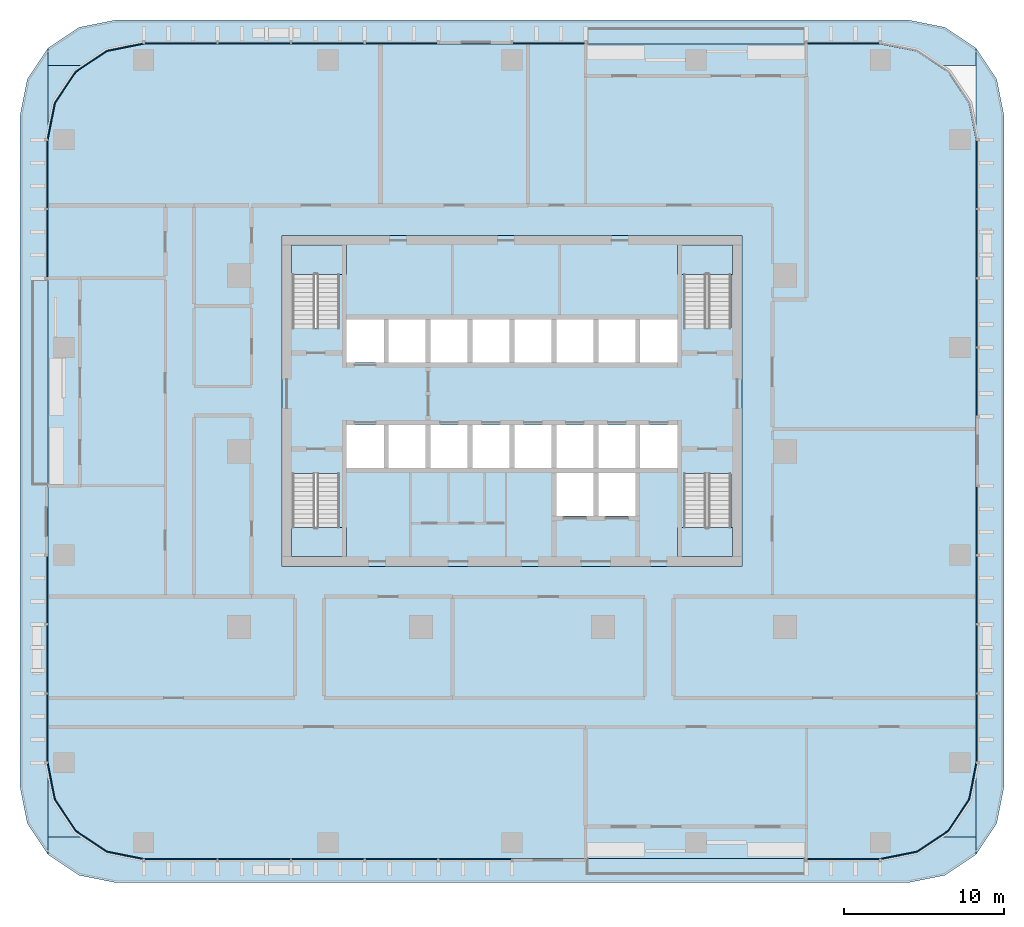
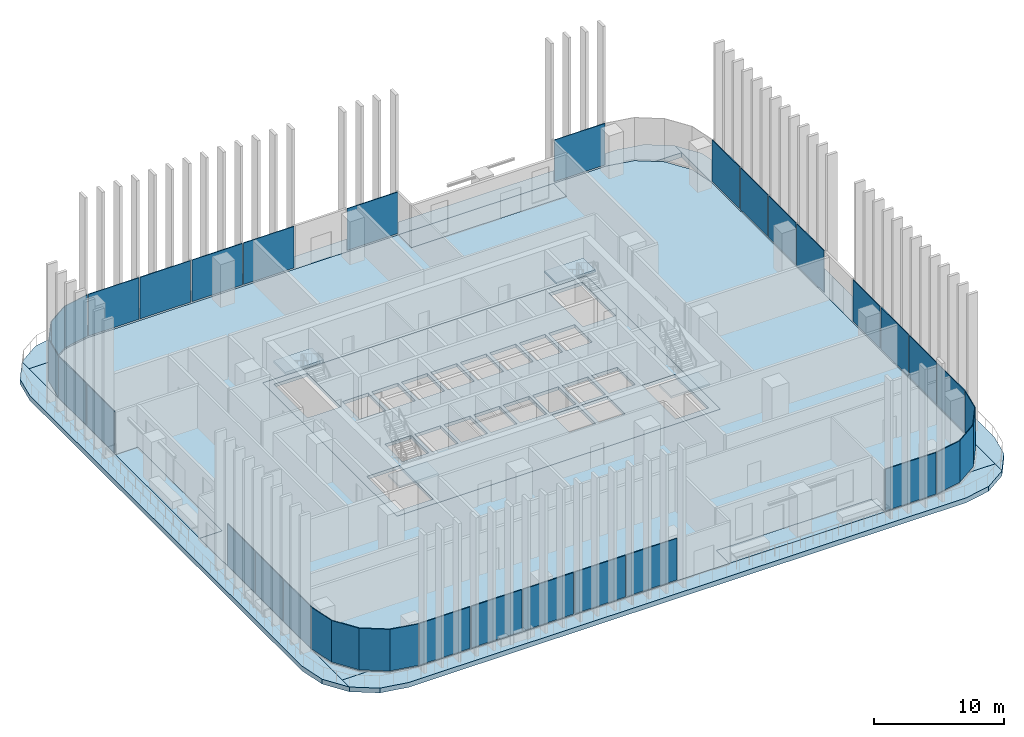
# One storey, part 6 of 18: 28 plates, 16 slabs, 16 elements without a shape of their own.
"""IFC4 building model written with IfcOpenShell, lengths in metres."""

from ifc_helpers import new_model, si_unit, direction, frame, origin, origin_2d, place, context, subcontext, project, spatial, polyline, rectangle, outline, extrude, material, layer, layer_set, type_object, element, aggregate, save


model = new_model("IFC4")

# Units and contexts
model_context = context("Model", 3, precision=1e-05, world=origin(), true_north=direction((0.0, 1.0)))
body_context = subcontext(model_context, "Body", "Model", "MODEL_VIEW")
ifc_project = project(units=[si_unit("LENGTHUNIT", "METRE"), si_unit("AREAUNIT", "SQUARE_METRE"), si_unit("VOLUMEUNIT", "CUBIC_METRE"), si_unit("PLANEANGLEUNIT", "RADIAN"), si_unit("MASSUNIT", "GRAM", prefix="KILO")], contexts=[model_context])

# Site, building, storey
site_placement = place(None, origin())
site = spatial("IfcSite", under=ifc_project, at=site_placement, CompositionType="ELEMENT")
building_placement = place(site_placement, origin())
building = spatial("IfcBuilding", under=site, at=building_placement, Name="Mopane Tessera Tower", CompositionType="ELEMENT")
storey_placement = place(building_placement, frame((0.0, 0.0, 94.60009765625)))
storey = spatial("IfcBuildingStorey", under=building, at=storey_placement, Name="L18", CompositionType="ELEMENT", Elevation=94.60009765625)

# Slab
ifc_material_1 = material(Name="Concrete C40/50", Category="concrete")
ifc_layer_1 = layer(ifc_material_1, 0.300048828125)
ifc_layer_set_1 = layer_set([ifc_layer_1], Name="Concrete C40/50")
slab_type_1 = type_object("IfcSlabType", Name="Core floor slab 300 mm", PredefinedType="FLOOR", material=ifc_layer_set_1)
slab_1_placement = place(storey_placement, frame((0.0, 0.0, -0.300048828125)))
element("IfcSlab", 1, at=slab_1_placement, inside=storey, type_object=slab_type_1, Name="L18 core floor slab", PredefinedType="FLOOR", context=body_context, shape_type="SweptSolid", body=[
    extrude(outline(polyline([(-14.39990234375, -7.199951171875), (14.39990234375, -7.199951171875), (14.39990234375, 13.5), (-14.39990234375, 13.5), (-14.39990234375, -7.199951171875)]), holes=[polyline([(-10.35009765625, -1.050048828125), (-8.02490234375, -1.050048828125), (-8.02490234375, 1.64990234375), (-10.35009765625, 1.64990234375), (-10.35009765625, -1.050048828125)]), polyline([(-7.72509765625, -1.050048828125), (-5.39990234375, -1.050048828125), (-5.39990234375, 1.64990234375), (-7.72509765625, 1.64990234375), (-7.72509765625, -1.050048828125)]), polyline([(-5.10009765625, -1.050048828125), (-2.77490234375, -1.050048828125), (-2.77490234375, 1.64990234375), (-5.10009765625, 1.64990234375), (-5.10009765625, -1.050048828125)]), polyline([(-2.47509765625, -1.050048828125), (-0.14990234375, -1.050048828125), (-0.14990234375, 1.64990234375), (-2.47509765625, 1.64990234375), (-2.47509765625, -1.050048828125)]), polyline([(0.14990234375, -1.050048828125), (2.47509765625, -1.050048828125), (2.47509765625, 1.64990234375), (0.14990234375, 1.64990234375), (0.14990234375, -1.050048828125)]), polyline([(2.77490234375, -1.050048828125), (5.10009765625, -1.050048828125), (5.10009765625, 1.64990234375), (2.77490234375, 1.64990234375), (2.77490234375, -1.050048828125)]), polyline([(5.39990234375, -1.050048828125), (7.72509765625, -1.050048828125), (7.72509765625, 1.64990234375), (5.39990234375, 1.64990234375), (5.39990234375, -1.050048828125)]), polyline([(8.02490234375, -1.050048828125), (10.35009765625, -1.050048828125), (10.35009765625, 1.64990234375), (8.02490234375, 1.64990234375), (8.02490234375, -1.050048828125)]), polyline([(-10.35009765625, 5.550048828125), (-8.02490234375, 5.550048828125), (-8.02490234375, 8.25), (-10.35009765625, 8.25), (-10.35009765625, 5.550048828125)]), polyline([(-7.72509765625, 5.550048828125), (-5.39990234375, 5.550048828125), (-5.39990234375, 8.25), (-7.72509765625, 8.25), (-7.72509765625, 5.550048828125)]), polyline([(-5.10009765625, 5.550048828125), (-2.77490234375, 5.550048828125), (-2.77490234375, 8.25), (-5.10009765625, 8.25), (-5.10009765625, 5.550048828125)]), polyline([(-2.47509765625, 5.550048828125), (-0.14990234375, 5.550048828125), (-0.14990234375, 8.25), (-2.47509765625, 8.25), (-2.47509765625, 5.550048828125)]), polyline([(0.14990234375, 5.550048828125), (2.47509765625, 5.550048828125), (2.47509765625, 8.25), (0.14990234375, 8.25), (0.14990234375, 5.550048828125)]), polyline([(2.77490234375, 5.550048828125), (5.10009765625, 5.550048828125), (5.10009765625, 8.25), (2.77490234375, 8.25), (2.77490234375, 5.550048828125)]), polyline([(5.39990234375, 5.550048828125), (7.72509765625, 5.550048828125), (7.72509765625, 8.25), (5.39990234375, 8.25), (5.39990234375, 5.550048828125)]), polyline([(8.02490234375, 5.550048828125), (10.35009765625, 5.550048828125), (10.35009765625, 8.25), (8.02490234375, 8.25), (8.02490234375, 5.550048828125)]), polyline([(2.77490234375, -4.050048828125), (5.10009765625, -4.050048828125), (5.10009765625, -1.35009765625), (2.77490234375, -1.35009765625), (2.77490234375, -4.050048828125)]), polyline([(5.39990234375, -4.050048828125), (7.72509765625, -4.050048828125), (7.72509765625, -1.35009765625), (5.39990234375, -1.35009765625), (5.39990234375, -4.050048828125)]), polyline([(-13.75, -1.405029296875), (-13.75, -6.60009765625), (-10.800048828125, -6.60009765625), (-10.800048828125, -1.405029296875), (-13.75, -1.405029296875)]), polyline([(-10.800048828125, 7.705078125), (-10.800048828125, 12.89990234375), (-13.75, 12.89990234375), (-13.75, 7.705078125), (-10.800048828125, 7.705078125)]), polyline([(10.75, -1.405029296875), (10.75, -6.60009765625), (13.699951171875, -6.60009765625), (13.699951171875, -1.405029296875), (10.75, -1.405029296875)]), polyline([(13.699951171875, 7.705078125), (13.699951171875, 12.89990234375), (10.75, 12.89990234375), (10.75, 7.705078125), (13.699951171875, 7.705078125)])]), origin(), (0.0, 0.0, 1.0), 0.300048828125),
])

# Stair, slab
ifc_material_2 = material(Name="Concrete C50/60", Category="concrete")
stair_type = type_object("IfcStairType", Name="Escape stair 1400 mm, riser 173 mm", PredefinedType="HALF_TURN_STAIR", material=ifc_material_2)
stair_1_placement = place(storey_placement, origin())
stair_1 = element("IfcStair", 2, at=stair_1_placement, inside=storey, type_object=stair_type, Name="L18 Escape stair south-west", PredefinedType="HALF_TURN_STAIR")
ifc_material_3 = material(Name="Concrete C50/60", Category="concrete")
ifc_layer_2 = layer(ifc_material_3, 0.199951171875)
ifc_layer_set_2 = layer_set([ifc_layer_2], Name="Concrete C50/60")
slab_type_2 = type_object("IfcSlabType", Name="Escape stair landing 200 mm", PredefinedType="LANDING", material=ifc_layer_set_2)
slab_2_placement = place(storey_placement, frame((0.0, 0.0, 2.0498046875)))
slab_2 = element("IfcSlab", 3, at=slab_2_placement, type_object=slab_type_2, Name="ST1 landing 1", PredefinedType="LANDING", context=body_context, shape_type="SweptSolid", body=[
    extrude(outline(polyline([(-13.800048828125, -4.760009765625), (-13.800048828125, -6.60009765625), (-10.35009765625, -6.60009765625), (-10.35009765625, -4.760009765625), (-13.800048828125, -4.760009765625)])), origin(), (0.0, 0.0, 1.0), 0.2001953125),
])
aggregate(stair_1, [slab_2])

stair_2_placement = place(storey_placement, origin())
stair_2 = element("IfcStair", 4, at=stair_2_placement, inside=storey, type_object=stair_type, Name="L18 Escape stair north-west", PredefinedType="HALF_TURN_STAIR")
slab_3_placement = place(storey_placement, frame((0.0, 0.0, 2.0498046875)))
slab_3 = element("IfcSlab", 5, at=slab_3_placement, type_object=slab_type_2, Name="ST2 landing 1", PredefinedType="LANDING", context=body_context, shape_type="SweptSolid", body=[
    extrude(outline(polyline([(-10.35009765625, 11.06005859375), (-10.35009765625, 12.89990234375), (-13.800048828125, 12.89990234375), (-13.800048828125, 11.06005859375), (-10.35009765625, 11.06005859375)])), origin(), (0.0, 0.0, 1.0), 0.2001953125),
])
aggregate(stair_2, [slab_3])

stair_3_placement = place(storey_placement, origin())
stair_3 = element("IfcStair", 6, at=stair_3_placement, inside=storey, type_object=stair_type, Name="L18 Escape stair south-east", PredefinedType="HALF_TURN_STAIR")
slab_4_placement = place(storey_placement, frame((0.0, 0.0, 2.0498046875)))
slab_4 = element("IfcSlab", 7, at=slab_4_placement, type_object=slab_type_2, Name="ST3 landing 1", PredefinedType="LANDING", context=body_context, shape_type="SweptSolid", body=[
    extrude(outline(polyline([(10.35009765625, -4.760009765625), (10.35009765625, -6.60009765625), (13.800048828125, -6.60009765625), (13.800048828125, -4.760009765625), (10.35009765625, -4.760009765625)])), origin(), (0.0, 0.0, 1.0), 0.2001953125),
])
aggregate(stair_3, [slab_4])

stair_4_placement = place(storey_placement, origin())
stair_4 = element("IfcStair", 8, at=stair_4_placement, inside=storey, type_object=stair_type, Name="L18 Escape stair north-east", PredefinedType="HALF_TURN_STAIR")
slab_5_placement = place(storey_placement, frame((0.0, 0.0, 2.0498046875)))
slab_5 = element("IfcSlab", 9, at=slab_5_placement, type_object=slab_type_2, Name="ST4 landing 1", PredefinedType="LANDING", context=body_context, shape_type="SweptSolid", body=[
    extrude(outline(polyline([(13.800048828125, 11.06005859375), (13.800048828125, 12.89990234375), (10.35009765625, 12.89990234375), (10.35009765625, 11.06005859375), (13.800048828125, 11.06005859375)])), origin(), (0.0, 0.0, 1.0), 0.2001953125),
])
aggregate(stair_4, [slab_5])

# Curtain wall, plates
ifc_material_4 = material(Name="Aluminium frame", Category="aluminium")
curtain_wall_type = type_object("IfcCurtainWallType", Name="Lower tower unitised wall", PredefinedType="NOTDEFINED", material=ifc_material_4)
curtain_wall_1_placement = place(storey_placement, origin())
curtain_wall_1 = element("IfcCurtainWall", 10, at=curtain_wall_1_placement, inside=storey, type_object=curtain_wall_type, Name="e:cw:L18:S:0", PredefinedType="NOTDEFINED")
ifc_material_5 = material(Name="Clear laminated glass", Category="glass")
ifc_layer_3 = layer(ifc_material_5, 0.070068359375)
ifc_layer_set_3 = layer_set([ifc_layer_3], Name="Clear laminated glass")
plate_type = type_object("IfcPlateType", Name="Laminated glazed unit 70", PredefinedType="CURTAIN_PANEL", material=ifc_layer_set_3)
plate_1_placement = place(storey_placement, frame((-20.7451171875, -25.534912109375, 0.14013671875), z_axis=(0.0, 0.0, 1.0), x_axis=(1.0, 0.0, 0.0)))
plate_1 = element("IfcPlate", 11, at=plate_1_placement, type_object=plate_type, Name="e:cw:L18:S:0:pn0", PredefinedType="CURTAIN_PANEL", context=body_context, shape_type="SweptSolid", body=[
    extrude(rectangle(XDim=4.5, YDim=0.070068359375, at=origin_2d()), origin(), (0.0, 0.0, 1.0), 3.909912109375),
])
plate_2_placement = place(storey_placement, frame((-16.135009765625, -25.534912109375, 0.14013671875), z_axis=(0.0, 0.0, 1.0), x_axis=(1.0, 0.0, 0.0)))
plate_2 = element("IfcPlate", 12, at=plate_2_placement, type_object=plate_type, Name="e:cw:L18:S:0:pn1", PredefinedType="CURTAIN_PANEL", context=body_context, shape_type="SweptSolid", body=[
    extrude(rectangle(XDim=4.5, YDim=0.070068359375, at=origin_2d()), origin(), (0.0, 0.0, 1.0), 3.909912109375),
])
plate_3_placement = place(storey_placement, frame((-11.52490234375, -25.534912109375, 0.14013671875), z_axis=(0.0, 0.0, 1.0), x_axis=(1.0, 0.0, 0.0)))
plate_3 = element("IfcPlate", 13, at=plate_3_placement, type_object=plate_type, Name="e:cw:L18:S:0:pn2", PredefinedType="CURTAIN_PANEL", context=body_context, shape_type="SweptSolid", body=[
    extrude(rectangle(XDim=4.5, YDim=0.070068359375, at=origin_2d()), origin(), (0.0, 0.0, 1.0), 3.909912109375),
])
plate_4_placement = place(storey_placement, frame((-6.9150390625, -25.534912109375, 0.14013671875), z_axis=(0.0, 0.0, 1.0), x_axis=(1.0, 0.0, 0.0)))
plate_4 = element("IfcPlate", 14, at=plate_4_placement, type_object=plate_type, Name="e:cw:L18:S:0:pn3", PredefinedType="CURTAIN_PANEL", context=body_context, shape_type="SweptSolid", body=[
    extrude(rectangle(XDim=4.5, YDim=0.070068359375, at=origin_2d()), origin(), (0.0, 0.0, 1.0), 3.909912109375),
])
plate_5_placement = place(storey_placement, frame((-2.304931640625, -25.534912109375, 0.14013671875), z_axis=(0.0, 0.0, 1.0), x_axis=(1.0, 0.0, 0.0)))
plate_5 = element("IfcPlate", 15, at=plate_5_placement, type_object=plate_type, Name="e:cw:L18:S:0:pn4", PredefinedType="CURTAIN_PANEL", context=body_context, shape_type="SweptSolid", body=[
    extrude(rectangle(XDim=4.5, YDim=0.070068359375, at=origin_2d()), origin(), (0.0, 0.0, 1.0), 3.909912109375),
])
aggregate(curtain_wall_1, [plate_1, plate_2, plate_3, plate_4, plate_5])

# Curtain wall, plate
curtain_wall_2_placement = place(storey_placement, origin())
curtain_wall_2 = element("IfcCurtainWall", 16, at=curtain_wall_2_placement, inside=storey, type_object=curtain_wall_type, Name="e:cw:L18:S:9", PredefinedType="NOTDEFINED")
plate_6_placement = place(storey_placement, frame((20.7451171875, -25.534912109375, 0.14013671875), z_axis=(0.0, 0.0, 1.0), x_axis=(1.0, 0.0, 0.0)))
plate_6 = element("IfcPlate", 17, at=plate_6_placement, type_object=plate_type, Name="e:cw:L18:S:9:pn9", PredefinedType="CURTAIN_PANEL", context=body_context, shape_type="SweptSolid", body=[
    extrude(rectangle(XDim=4.5, YDim=0.070068359375, at=origin_2d()), origin(), (0.0, 0.0, 1.0), 3.909912109375),
])
aggregate(curtain_wall_2, [plate_6])

curtain_wall_3_placement = place(storey_placement, origin())
curtain_wall_3 = element("IfcCurtainWall", 18, at=curtain_wall_3_placement, inside=storey, type_object=curtain_wall_type, Name="e:cw:L18:CS", PredefinedType="NOTDEFINED")
plate_7_placement = place(storey_placement, frame((0.0, 0.0, 0.139892578125)))
plate_7 = element("IfcPlate", 19, at=plate_7_placement, type_object=plate_type, Name="e:cw:L18:CS:pn", PredefinedType="CURTAIN_PANEL", context=body_context, shape_type="SweptSolid", body=[
    extrude(outline(polyline([(23.050048828125, -25.5), (25.34619140625, -25.043212890625), (27.292724609375, -23.74267578125), (28.59326171875, -21.796142578125), (29.050048828125, -19.5), (29.1201171875, -19.5), (28.657958984375, -21.822998046875), (27.342041015625, -23.792236328125), (25.372802734375, -25.10791015625), (23.050048828125, -25.570068359375), (23.050048828125, -25.5)])), origin(), (0.0, 0.0, 1.0), 3.909912109375),
])
aggregate(curtain_wall_3, [plate_7])

# Curtain wall, plates
curtain_wall_4_placement = place(storey_placement, origin())
curtain_wall_4 = element("IfcCurtainWall", 20, at=curtain_wall_4_placement, inside=storey, type_object=curtain_wall_type, Name="e:cw:L18:E:0", PredefinedType="NOTDEFINED")
plate_8_placement = place(storey_placement, frame((29.0849609375, -17.333251953125, 0.14013671875), z_axis=(0.0, 0.0, 1.0), x_axis=(0.0, 1.0, 0.0)))
plate_8 = element("IfcPlate", 21, at=plate_8_placement, type_object=plate_type, Name="e:cw:L18:E:0:pn0", PredefinedType="CURTAIN_PANEL", context=body_context, shape_type="SweptSolid", body=[
    extrude(rectangle(XDim=4.223388671875, YDim=0.070068359375, at=origin_2d()), origin(), (0.0, 0.0, 1.0), 3.909912109375),
])
plate_9_placement = place(storey_placement, frame((29.0849609375, -13.0, 0.14013671875), z_axis=(0.0, 0.0, 1.0), x_axis=(0.0, 1.0, 0.0)))
plate_9 = element("IfcPlate", 22, at=plate_9_placement, type_object=plate_type, Name="e:cw:L18:E:0:pn1", PredefinedType="CURTAIN_PANEL", context=body_context, shape_type="SweptSolid", body=[
    extrude(rectangle(XDim=4.223388671875, YDim=0.070068359375, at=origin_2d()), origin(), (0.0, 0.0, 1.0), 3.909912109375),
])
plate_10_placement = place(storey_placement, frame((29.0849609375, -8.666748046875, 0.14013671875), z_axis=(0.0, 0.0, 1.0), x_axis=(0.0, 1.0, 0.0)))
plate_10 = element("IfcPlate", 23, at=plate_10_placement, type_object=plate_type, Name="e:cw:L18:E:0:pn2", PredefinedType="CURTAIN_PANEL", context=body_context, shape_type="SweptSolid", body=[
    extrude(rectangle(XDim=4.223388671875, YDim=0.070068359375, at=origin_2d()), origin(), (0.0, 0.0, 1.0), 3.909912109375),
])
plate_11_placement = place(storey_placement, frame((29.0849609375, -4.333251953125, 0.14013671875), z_axis=(0.0, 0.0, 1.0), x_axis=(0.0, 1.0, 0.0)))
plate_11 = element("IfcPlate", 24, at=plate_11_placement, type_object=plate_type, Name="e:cw:L18:E:0:pn3", PredefinedType="CURTAIN_PANEL", context=body_context, shape_type="SweptSolid", body=[
    extrude(rectangle(XDim=4.223388671875, YDim=0.070068359375, at=origin_2d()), origin(), (0.0, 0.0, 1.0), 3.909912109375),
])
aggregate(curtain_wall_4, [plate_8, plate_9, plate_10, plate_11])

curtain_wall_5_placement = place(storey_placement, origin())
curtain_wall_5 = element("IfcCurtainWall", 25, at=curtain_wall_5_placement, inside=storey, type_object=curtain_wall_type, Name="e:cw:L18:E:5", PredefinedType="NOTDEFINED")
plate_12_placement = place(storey_placement, frame((29.0849609375, 4.333251953125, 0.14013671875), z_axis=(0.0, 0.0, 1.0), x_axis=(0.0, 1.0, 0.0)))
plate_12 = element("IfcPlate", 26, at=plate_12_placement, type_object=plate_type, Name="e:cw:L18:E:5:pn5", PredefinedType="CURTAIN_PANEL", context=body_context, shape_type="SweptSolid", body=[
    extrude(rectangle(XDim=4.223388671875, YDim=0.070068359375, at=origin_2d()), origin(), (0.0, 0.0, 1.0), 3.909912109375),
])
plate_13_placement = place(storey_placement, frame((29.0849609375, 8.666748046875, 0.14013671875), z_axis=(0.0, 0.0, 1.0), x_axis=(0.0, 1.0, 0.0)))
plate_13 = element("IfcPlate", 27, at=plate_13_placement, type_object=plate_type, Name="e:cw:L18:E:5:pn6", PredefinedType="CURTAIN_PANEL", context=body_context, shape_type="SweptSolid", body=[
    extrude(rectangle(XDim=4.223388671875, YDim=0.070068359375, at=origin_2d()), origin(), (0.0, 0.0, 1.0), 3.909912109375),
])
plate_14_placement = place(storey_placement, frame((29.0849609375, 13.0, 0.14013671875), z_axis=(0.0, 0.0, 1.0), x_axis=(0.0, 1.0, 0.0)))
plate_14 = element("IfcPlate", 28, at=plate_14_placement, type_object=plate_type, Name="e:cw:L18:E:5:pn7", PredefinedType="CURTAIN_PANEL", context=body_context, shape_type="SweptSolid", body=[
    extrude(rectangle(XDim=4.223388671875, YDim=0.070068359375, at=origin_2d()), origin(), (0.0, 0.0, 1.0), 3.909912109375),
])
plate_15_placement = place(storey_placement, frame((29.0849609375, 17.333251953125, 0.14013671875), z_axis=(0.0, 0.0, 1.0), x_axis=(0.0, 1.0, 0.0)))
plate_15 = element("IfcPlate", 29, at=plate_15_placement, type_object=plate_type, Name="e:cw:L18:E:5:pn8", PredefinedType="CURTAIN_PANEL", context=body_context, shape_type="SweptSolid", body=[
    extrude(rectangle(XDim=4.223388671875, YDim=0.070068359375, at=origin_2d()), origin(), (0.0, 0.0, 1.0), 3.909912109375),
])
aggregate(curtain_wall_5, [plate_12, plate_13, plate_14, plate_15])

# Curtain wall, plate
curtain_wall_6_placement = place(storey_placement, origin())
curtain_wall_6 = element("IfcCurtainWall", 30, at=curtain_wall_6_placement, inside=storey, type_object=curtain_wall_type, Name="e:cw:L18:N:0", PredefinedType="NOTDEFINED")
plate_16_placement = place(storey_placement, frame((20.7451171875, 25.534912109375, 0.14013671875), z_axis=(0.0, 0.0, 1.0), x_axis=(-1.0, 0.0, 0.0)))
plate_16 = element("IfcPlate", 31, at=plate_16_placement, type_object=plate_type, Name="e:cw:L18:N:0:pn0", PredefinedType="CURTAIN_PANEL", context=body_context, shape_type="SweptSolid", body=[
    extrude(rectangle(XDim=4.5, YDim=0.070068359375, at=origin_2d()), origin(), (0.0, 0.0, 1.0), 3.909912109375),
])
aggregate(curtain_wall_6, [plate_16])

curtain_wall_7_placement = place(storey_placement, origin())
curtain_wall_7 = element("IfcCurtainWall", 32, at=curtain_wall_7_placement, inside=storey, type_object=curtain_wall_type, Name="e:cw:L18:N:4", PredefinedType="NOTDEFINED")
plate_17_placement = place(storey_placement, frame((2.304931640625, 25.534912109375, 0.14013671875), z_axis=(0.0, 0.0, 1.0), x_axis=(-1.0, 0.0, 0.0)))
plate_17 = element("IfcPlate", 33, at=plate_17_placement, type_object=plate_type, Name="e:cw:L18:N:4:pn4", PredefinedType="CURTAIN_PANEL", context=body_context, shape_type="SweptSolid", body=[
    extrude(rectangle(XDim=4.5, YDim=0.070068359375, at=origin_2d()), origin(), (0.0, 0.0, 1.0), 3.909912109375),
])
aggregate(curtain_wall_7, [plate_17])

# Curtain wall, plates
curtain_wall_8_placement = place(storey_placement, origin())
curtain_wall_8 = element("IfcCurtainWall", 34, at=curtain_wall_8_placement, inside=storey, type_object=curtain_wall_type, Name="e:cw:L18:N:6", PredefinedType="NOTDEFINED")
plate_18_placement = place(storey_placement, frame((-6.9150390625, 25.534912109375, 0.14013671875), z_axis=(0.0, 0.0, 1.0), x_axis=(-1.0, 0.0, 0.0)))
plate_18 = element("IfcPlate", 35, at=plate_18_placement, type_object=plate_type, Name="e:cw:L18:N:6:pn6", PredefinedType="CURTAIN_PANEL", context=body_context, shape_type="SweptSolid", body=[
    extrude(rectangle(XDim=4.5, YDim=0.070068359375, at=origin_2d()), origin(), (0.0, 0.0, 1.0), 3.909912109375),
])
plate_19_placement = place(storey_placement, frame((-11.52490234375, 25.534912109375, 0.14013671875), z_axis=(0.0, 0.0, 1.0), x_axis=(-1.0, 0.0, 0.0)))
plate_19 = element("IfcPlate", 36, at=plate_19_placement, type_object=plate_type, Name="e:cw:L18:N:6:pn7", PredefinedType="CURTAIN_PANEL", context=body_context, shape_type="SweptSolid", body=[
    extrude(rectangle(XDim=4.5, YDim=0.070068359375, at=origin_2d()), origin(), (0.0, 0.0, 1.0), 3.909912109375),
])
plate_20_placement = place(storey_placement, frame((-16.135009765625, 25.534912109375, 0.14013671875), z_axis=(0.0, 0.0, 1.0), x_axis=(-1.0, 0.0, 0.0)))
plate_20 = element("IfcPlate", 37, at=plate_20_placement, type_object=plate_type, Name="e:cw:L18:N:6:pn8", PredefinedType="CURTAIN_PANEL", context=body_context, shape_type="SweptSolid", body=[
    extrude(rectangle(XDim=4.5, YDim=0.070068359375, at=origin_2d()), origin(), (0.0, 0.0, 1.0), 3.909912109375),
])
plate_21_placement = place(storey_placement, frame((-20.7451171875, 25.534912109375, 0.14013671875), z_axis=(0.0, 0.0, 1.0), x_axis=(-1.0, 0.0, 0.0)))
plate_21 = element("IfcPlate", 38, at=plate_21_placement, type_object=plate_type, Name="e:cw:L18:N:6:pn9", PredefinedType="CURTAIN_PANEL", context=body_context, shape_type="SweptSolid", body=[
    extrude(rectangle(XDim=4.5, YDim=0.070068359375, at=origin_2d()), origin(), (0.0, 0.0, 1.0), 3.909912109375),
])
aggregate(curtain_wall_8, [plate_18, plate_19, plate_20, plate_21])

# Curtain wall, plate
curtain_wall_9_placement = place(storey_placement, origin())
curtain_wall_9 = element("IfcCurtainWall", 39, at=curtain_wall_9_placement, inside=storey, type_object=curtain_wall_type, Name="e:cw:L18:CN", PredefinedType="NOTDEFINED")
plate_22_placement = place(storey_placement, frame((0.0, 0.0, 0.139892578125)))
plate_22 = element("IfcPlate", 40, at=plate_22_placement, type_object=plate_type, Name="e:cw:L18:CN:pn", PredefinedType="CURTAIN_PANEL", context=body_context, shape_type="SweptSolid", body=[
    extrude(outline(polyline([(-23.050048828125, 25.5), (-25.34619140625, 25.043212890625), (-27.292724609375, 23.74267578125), (-28.59326171875, 21.796142578125), (-29.050048828125, 19.5), (-29.1201171875, 19.5), (-28.657958984375, 21.822998046875), (-27.342041015625, 23.792236328125), (-25.372802734375, 25.10791015625), (-23.050048828125, 25.570068359375), (-23.050048828125, 25.5)])), origin(), (0.0, 0.0, 1.0), 3.909912109375),
])
aggregate(curtain_wall_9, [plate_22])

# Curtain wall, plates
curtain_wall_10_placement = place(storey_placement, origin())
curtain_wall_10 = element("IfcCurtainWall", 41, at=curtain_wall_10_placement, inside=storey, type_object=curtain_wall_type, Name="e:cw:L18:W:0", PredefinedType="NOTDEFINED")
plate_23_placement = place(storey_placement, frame((-29.0849609375, 17.333251953125, 0.14013671875), z_axis=(0.0, 0.0, 1.0), x_axis=(0.0, -1.0, 0.0)))
plate_23 = element("IfcPlate", 42, at=plate_23_placement, type_object=plate_type, Name="e:cw:L18:W:0:pn0", PredefinedType="CURTAIN_PANEL", context=body_context, shape_type="SweptSolid", body=[
    extrude(rectangle(XDim=4.223388671875, YDim=0.070068359375, at=origin_2d()), origin(), (0.0, 0.0, 1.0), 3.909912109375),
])
plate_24_placement = place(storey_placement, frame((-29.0849609375, 13.0, 0.14013671875), z_axis=(0.0, 0.0, 1.0), x_axis=(0.0, -1.0, 0.0)))
plate_24 = element("IfcPlate", 43, at=plate_24_placement, type_object=plate_type, Name="e:cw:L18:W:0:pn1", PredefinedType="CURTAIN_PANEL", context=body_context, shape_type="SweptSolid", body=[
    extrude(rectangle(XDim=4.223388671875, YDim=0.070068359375, at=origin_2d()), origin(), (0.0, 0.0, 1.0), 3.909912109375),
])
aggregate(curtain_wall_10, [plate_23, plate_24])

curtain_wall_11_placement = place(storey_placement, origin())
curtain_wall_11 = element("IfcCurtainWall", 44, at=curtain_wall_11_placement, inside=storey, type_object=curtain_wall_type, Name="e:cw:L18:W:6", PredefinedType="NOTDEFINED")
plate_25_placement = place(storey_placement, frame((-29.0849609375, -8.666748046875, 0.14013671875), z_axis=(0.0, 0.0, 1.0), x_axis=(0.0, -1.0, 0.0)))
plate_25 = element("IfcPlate", 45, at=plate_25_placement, type_object=plate_type, Name="e:cw:L18:W:6:pn6", PredefinedType="CURTAIN_PANEL", context=body_context, shape_type="SweptSolid", body=[
    extrude(rectangle(XDim=4.223388671875, YDim=0.070068359375, at=origin_2d()), origin(), (0.0, 0.0, 1.0), 3.909912109375),
])
plate_26_placement = place(storey_placement, frame((-29.0849609375, -13.0, 0.14013671875), z_axis=(0.0, 0.0, 1.0), x_axis=(0.0, -1.0, 0.0)))
plate_26 = element("IfcPlate", 46, at=plate_26_placement, type_object=plate_type, Name="e:cw:L18:W:6:pn7", PredefinedType="CURTAIN_PANEL", context=body_context, shape_type="SweptSolid", body=[
    extrude(rectangle(XDim=4.223388671875, YDim=0.070068359375, at=origin_2d()), origin(), (0.0, 0.0, 1.0), 3.909912109375),
])
plate_27_placement = place(storey_placement, frame((-29.0849609375, -17.333251953125, 0.14013671875), z_axis=(0.0, 0.0, 1.0), x_axis=(0.0, -1.0, 0.0)))
plate_27 = element("IfcPlate", 47, at=plate_27_placement, type_object=plate_type, Name="e:cw:L18:W:6:pn8", PredefinedType="CURTAIN_PANEL", context=body_context, shape_type="SweptSolid", body=[
    extrude(rectangle(XDim=4.223388671875, YDim=0.070068359375, at=origin_2d()), origin(), (0.0, 0.0, 1.0), 3.909912109375),
])
aggregate(curtain_wall_11, [plate_25, plate_26, plate_27])

# Curtain wall, plate
curtain_wall_12_placement = place(storey_placement, origin())
curtain_wall_12 = element("IfcCurtainWall", 48, at=curtain_wall_12_placement, inside=storey, type_object=curtain_wall_type, Name="e:cw:L18:CW", PredefinedType="NOTDEFINED")
plate_28_placement = place(storey_placement, frame((0.0, 0.0, 0.139892578125)))
plate_28 = element("IfcPlate", 49, at=plate_28_placement, type_object=plate_type, Name="e:cw:L18:CW:pn", PredefinedType="CURTAIN_PANEL", context=body_context, shape_type="SweptSolid", body=[
    extrude(outline(polyline([(-29.050048828125, -19.5), (-28.59326171875, -21.796142578125), (-27.292724609375, -23.74267578125), (-25.34619140625, -25.043212890625), (-23.050048828125, -25.5), (-23.050048828125, -25.570068359375), (-25.372802734375, -25.10791015625), (-27.342041015625, -23.792236328125), (-28.657958984375, -21.822998046875), (-29.1201171875, -19.5), (-29.050048828125, -19.5)])), origin(), (0.0, 0.0, 1.0), 3.909912109375),
])
aggregate(curtain_wall_12, [plate_28])

# Slabs
ifc_material_6 = material(Name="Concrete C40/50", Category="concrete")
ifc_layer_4 = layer(ifc_material_6, 0.449951171875)
ifc_layer_set_4 = layer_set([ifc_layer_4], Name="Concrete C40/50")
slab_type_3 = type_object("IfcSlabType", Name="Planted terrace slab 450 mm", PredefinedType="FLOOR", material=ifc_layer_set_4)
slab_6_placement = place(storey_placement, frame((0.0, 0.0, -0.4501953125)))
element("IfcSlab", 50, at=slab_6_placement, inside=storey, type_object=slab_type_3, Name="Terrace slab N1 L18", PredefinedType="FLOOR", context=body_context, shape_type="SweptSolid", body=[
    extrude(outline(polyline([(18.43994140625, 25.5), (4.610107421875, 25.5), (4.610107421875, 23.5), (18.43994140625, 23.5), (18.43994140625, 25.5)])), origin(), (0.0, 0.0, 1.0), 0.4501953125),
])
slab_7_placement = place(storey_placement, frame((0.0, 0.0, -0.4501953125)))
element("IfcSlab", 51, at=slab_7_placement, inside=storey, type_object=slab_type_3, Name="Terrace slab N2 L18", PredefinedType="FLOOR", context=body_context, shape_type="SweptSolid", body=[
    extrude(outline(polyline([(-29.050048828125, 10.833251953125), (-29.050048828125, -2.166748046875), (-27.050048828125, -2.166748046875), (-27.050048828125, 10.833251953125), (-29.050048828125, 10.833251953125)])), origin(), (0.0, 0.0, 1.0), 0.4501953125),
])
slab_8_placement = place(storey_placement, frame((0.0, 0.0, -0.4501953125)))
element("IfcSlab", 52, at=slab_8_placement, inside=storey, type_object=slab_type_3, Name="Terrace slab N3 L18", PredefinedType="FLOOR", context=body_context, shape_type="SweptSolid", body=[
    extrude(outline(polyline([(4.610107421875, -25.5), (18.43994140625, -25.5), (18.43994140625, -23.5), (4.610107421875, -23.5), (4.610107421875, -25.5)])), origin(), (0.0, 0.0, 1.0), 0.4501953125),
])
ifc_material_7 = material(Name="Concrete C40/50", Category="concrete")
ifc_layer_5 = layer(ifc_material_7, 0.449951171875)
ifc_layer_set_5 = layer_set([ifc_layer_5], Name="Concrete C40/50")
slab_type_4 = type_object("IfcSlabType", Name="Post-tensioned flat plate 450 mm", PredefinedType="FLOOR", material=ifc_layer_set_5)
slab_9_placement = place(storey_placement, frame((0.0, 0.0, -0.4501953125)))
element("IfcSlab", 53, at=slab_9_placement, inside=storey, type_object=slab_type_4, Name="Floor slab L18", PredefinedType="FLOOR", context=body_context, shape_type="SweptSolid", body=[
    extrude(outline(polyline([(-23.050048828125, -25.5), (4.610107421875, -25.5), (4.610107421875, -23.5), (18.43994140625, -23.5), (18.43994140625, -25.5), (23.050048828125, -25.5), (25.34619140625, -25.043212890625), (27.292724609375, -23.74267578125), (28.59326171875, -21.796142578125), (29.050048828125, -19.5), (29.050048828125, 19.5), (28.59326171875, 21.796142578125), (27.292724609375, 23.74267578125), (25.34619140625, 25.043212890625), (23.050048828125, 25.5), (18.43994140625, 25.5), (18.43994140625, 23.5), (4.610107421875, 23.5), (4.610107421875, 25.5), (-23.050048828125, 25.5), (-25.34619140625, 25.043212890625), (-27.292724609375, 23.74267578125), (-28.59326171875, 21.796142578125), (-29.050048828125, 19.5), (-29.050048828125, 10.833251953125), (-27.050048828125, 10.833251953125), (-27.050048828125, -2.166748046875), (-29.050048828125, -2.166748046875), (-29.050048828125, -19.5), (-28.59326171875, -21.796142578125), (-27.292724609375, -23.74267578125), (-25.34619140625, -25.043212890625), (-23.050048828125, -25.5)]), holes=[polyline([(14.39990234375, -7.199951171875), (-14.39990234375, -7.199951171875), (-14.39990234375, 13.5), (14.39990234375, 13.5), (14.39990234375, -7.199951171875)])]), origin(), (0.0, 0.0, 1.0), 0.4501953125),
])
ifc_material_8 = material(Name="Concrete C40/50", Category="concrete")
ifc_layer_6 = layer(ifc_material_8, 0.449951171875)
ifc_layer_set_6 = layer_set([ifc_layer_6], Name="Concrete C40/50")
slab_type_5 = type_object("IfcSlabType", Name="Setback roof terrace slab 450 mm", PredefinedType="ROOF", material=ifc_layer_set_6)
slab_10_placement = place(storey_placement, frame((0.0, 0.0, -0.4501953125)))
element("IfcSlab", 54, at=slab_10_placement, inside=storey, type_object=slab_type_5, Name="Setback terrace slab L18", PredefinedType="ROOF", context=body_context, shape_type="SweptSolid", body=[
    extrude(outline(polyline([(-29.050048828125, -25.231689453125), (-29.050048828125, -19.5), (-29.050048828125, 19.5), (-29.050048828125, 25.231689453125), (-30.34326171875, 23.296142578125), (-30.800048828125, 21.0), (-30.800048828125, -21.0), (-30.34326171875, -23.296142578125), (-29.050048828125, -25.231689453125)])), origin(), (0.0, 0.0, 1.0), 0.4501953125),
])
slab_11_placement = place(storey_placement, frame((0.0, 0.0, -0.4501953125)))
element("IfcSlab", 55, at=slab_11_placement, inside=storey, type_object=slab_type_5, Name="Setback terrace slab L18", PredefinedType="ROOF", context=body_context, shape_type="SweptSolid", body=[
    extrude(outline(polyline([(-29.050048828125, -19.5), (-29.050048828125, -24.14990234375), (-26.68310546875, -24.14990234375), (-27.292724609375, -23.74267578125), (-28.59326171875, -21.796142578125), (-29.050048828125, -19.5)])), origin(), (0.0, 0.0, 1.0), 0.4501953125),
])
slab_12_placement = place(storey_placement, frame((0.0, 0.0, -0.4501953125)))
element("IfcSlab", 56, at=slab_12_placement, inside=storey, type_object=slab_type_5, Name="Setback terrace slab L18", PredefinedType="ROOF", context=body_context, shape_type="SweptSolid", body=[
    extrude(outline(polyline([(-26.68310546875, 24.14990234375), (-29.050048828125, 24.14990234375), (-29.050048828125, 19.5), (-28.59326171875, 21.796142578125), (-27.292724609375, 23.74267578125), (-26.68310546875, 24.14990234375)])), origin(), (0.0, 0.0, 1.0), 0.4501953125),
])
slab_13_placement = place(storey_placement, frame((0.0, 0.0, -0.4501953125)))
element("IfcSlab", 57, at=slab_13_placement, inside=storey, type_object=slab_type_5, Name="Setback terrace slab L18", PredefinedType="ROOF", context=body_context, shape_type="SweptSolid", body=[
    extrude(outline(polyline([(-23.050048828125, -25.5), (-25.34619140625, -25.043212890625), (-26.68310546875, -24.14990234375), (-29.050048828125, -24.14990234375), (-29.050048828125, -25.231689453125), (-29.042724609375, -25.24267578125), (-28.657470703125, -25.5), (-27.09619140625, -26.543212890625), (-24.800048828125, -27.0), (24.800048828125, -27.0), (27.09619140625, -26.543212890625), (28.657470703125, -25.5), (29.042724609375, -25.24267578125), (29.050048828125, -25.231689453125), (29.050048828125, -24.14990234375), (26.68310546875, -24.14990234375), (25.34619140625, -25.043212890625), (23.050048828125, -25.5), (-23.050048828125, -25.5)])), origin(), (0.0, 0.0, 1.0), 0.4501953125),
])
slab_14_placement = place(storey_placement, frame((0.0, 0.0, -0.4501953125)))
element("IfcSlab", 58, at=slab_14_placement, inside=storey, type_object=slab_type_5, Name="Setback terrace slab L18", PredefinedType="ROOF", context=body_context, shape_type="SweptSolid", body=[
    extrude(outline(polyline([(23.050048828125, 25.5), (25.34619140625, 25.043212890625), (26.68310546875, 24.14990234375), (29.050048828125, 24.14990234375), (29.050048828125, 25.231689453125), (29.042724609375, 25.24267578125), (28.657470703125, 25.5), (27.09619140625, 26.543212890625), (24.800048828125, 27.0), (-24.800048828125, 27.0), (-27.09619140625, 26.543212890625), (-28.657470703125, 25.5), (-29.042724609375, 25.24267578125), (-29.050048828125, 25.231689453125), (-29.050048828125, 24.14990234375), (-26.68310546875, 24.14990234375), (-25.34619140625, 25.043212890625), (-23.050048828125, 25.5), (23.050048828125, 25.5)])), origin(), (0.0, 0.0, 1.0), 0.4501953125),
])
slab_15_placement = place(storey_placement, frame((0.0, 0.0, -0.4501953125)))
element("IfcSlab", 59, at=slab_15_placement, inside=storey, type_object=slab_type_5, Name="Setback terrace slab L18", PredefinedType="ROOF", context=body_context, shape_type="SweptSolid", body=[
    extrude(outline(polyline([(26.68310546875, -24.14990234375), (29.050048828125, -24.14990234375), (29.050048828125, -19.5), (28.59326171875, -21.796142578125), (27.292724609375, -23.74267578125), (26.68310546875, -24.14990234375)])), origin(), (0.0, 0.0, 1.0), 0.4501953125),
])
slab_16_placement = place(storey_placement, frame((0.0, 0.0, -0.4501953125)))
element("IfcSlab", 60, at=slab_16_placement, inside=storey, type_object=slab_type_5, Name="Setback terrace slab L18", PredefinedType="ROOF", context=body_context, shape_type="SweptSolid", body=[
    extrude(outline(polyline([(29.050048828125, 25.231689453125), (29.050048828125, 19.5), (29.050048828125, -19.5), (29.050048828125, -25.231689453125), (30.34326171875, -23.296142578125), (30.800048828125, -21.0), (30.800048828125, 21.0), (30.34326171875, 23.296142578125), (29.050048828125, 25.231689453125)])), origin(), (0.0, 0.0, 1.0), 0.4501953125),
])

save(model, "model.ifc")
